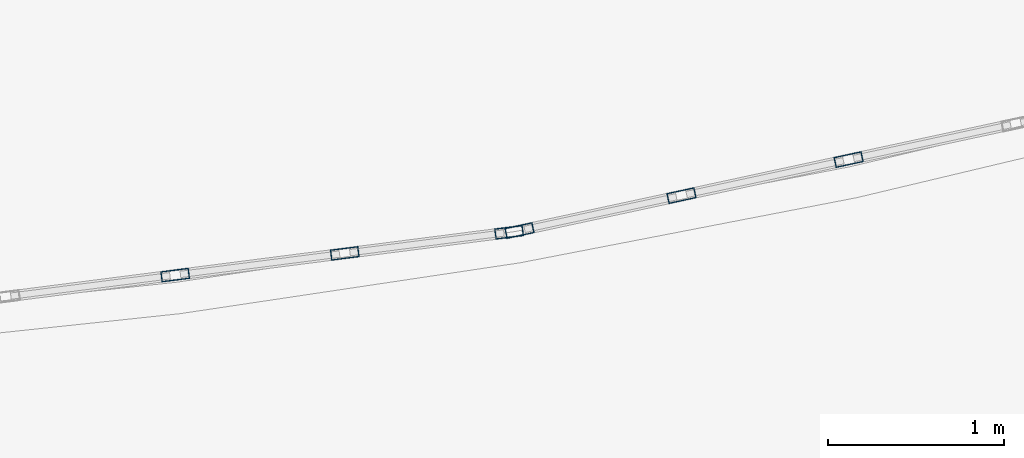
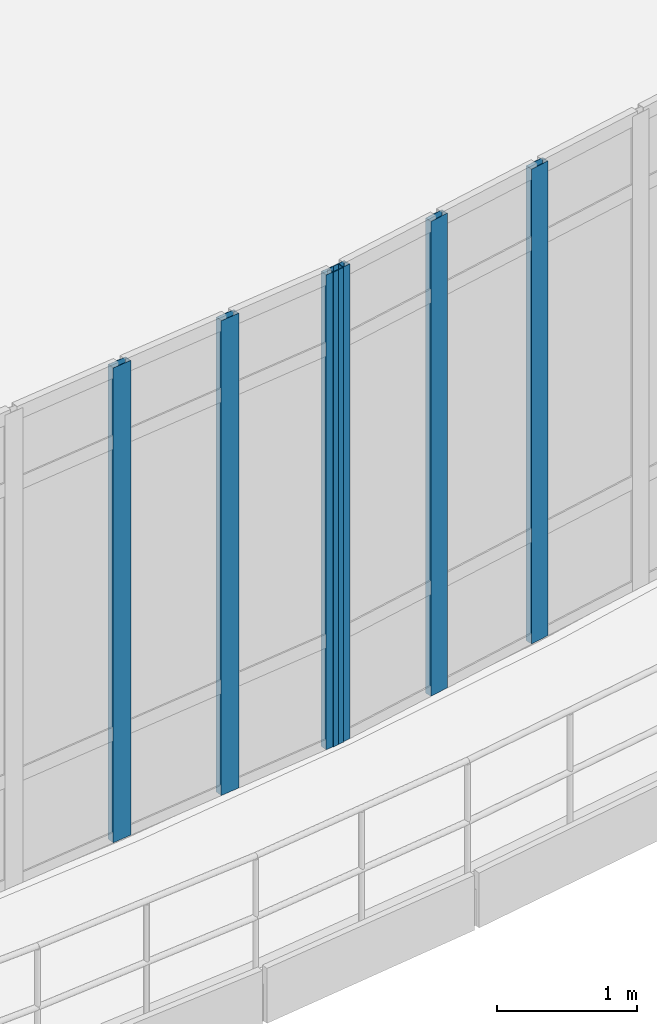
# One storey, part 32 of 116: 6 members, 2 elements without a shape of their own.
"""IFC4 building model written with IfcOpenShell, lengths in metres."""

from ifc_helpers import new_model, si_unit, direction, frame, origin, origin_2d, place, context, subcontext, project, spatial, hollow_rectangle, extrude, material, material_profile, profile_set, type_object, element, aggregate, save


model = new_model("IFC4")

# Units and contexts
model_context = context("Model", 3, precision=1e-05, world=origin(), true_north=direction((0.0, 1.0)))
body_context = subcontext(model_context, "Body", "Model", "MODEL_VIEW")
ifc_project = project(units=[si_unit("LENGTHUNIT", "METRE"), si_unit("AREAUNIT", "SQUARE_METRE"), si_unit("VOLUMEUNIT", "CUBIC_METRE"), si_unit("PLANEANGLEUNIT", "RADIAN"), si_unit("MASSUNIT", "GRAM", prefix="KILO")], contexts=[model_context])

# Site, building, storey
site_placement = place(None, origin())
site = spatial("IfcSite", under=ifc_project, at=site_placement, CompositionType="ELEMENT")
building_placement = place(site_placement, origin())
building = spatial("IfcBuilding", under=site, at=building_placement, Name="Kalluvel Institute of Natural Sciences", CompositionType="ELEMENT")
storey_placement = place(building_placement, frame((0.0, 0.0, 14.39990234375)))
storey = spatial("IfcBuildingStorey", under=building, at=storey_placement, Name="L03", CompositionType="ELEMENT", Elevation=14.39990234375)

# Curtain wall, members
ifc_material = material(Name="Aluminium AW-6063 T6", Category="aluminium")
curtain_wall_type = type_object("IfcCurtainWallType", Name="CW-ATR-ARC", PredefinedType="USERDEFINED", material=ifc_material)
curtain_wall_1_placement = place(storey_placement, origin())
curtain_wall_1 = element("IfcCurtainWall", 1, at=curtain_wall_1_placement, inside=storey, type_object=curtain_wall_type, Name="L03 Gothic lancet curtain wall CWA-L03-X395-Y571", ObjectType="UNITISED LANCET FACADE", PredefinedType="USERDEFINED")
ifc_material_profile = material_profile(ifc_material, hollow_rectangle(XDim=0.06005859375, YDim=0.159912109375, WallThickness=0.00390625, at=origin_2d()), Name="CWM 60x160")
ifc_profile_set = profile_set([ifc_material_profile], Name="Aluminium AW-6063 T6")
member_type = type_object("IfcMemberType", Name="CWM-60x160", PredefinedType="MULLION", material=ifc_profile_set)
member_1_placement = place(storey_placement, frame((41.41845703125, 57.3623046875, 0.0), z_axis=(0.0, 0.0, 1.0), x_axis=(-0.127010045141, 0.991901430805, 0.0)))
member_1 = element("IfcMember", 2, at=member_1_placement, type_object=member_type, Name="CW-05 mullion 3", PredefinedType="MULLION", context=body_context, shape_type="SweptSolid", body=[
    extrude(hollow_rectangle(XDim=0.06005859375, YDim=0.159912109375, WallThickness=0.00390625, at=origin_2d()), origin(), (0.0, 0.0, 1.0), 4.150146484375),
])
member_2_placement = place(storey_placement, frame((42.383544921875, 57.48583984375, 0.0), z_axis=(0.0, 0.0, 1.0), x_axis=(-0.127010045141, 0.991901430805, 0.0)))
member_2 = element("IfcMember", 3, at=member_2_placement, type_object=member_type, Name="CW-05 mullion 4", PredefinedType="MULLION", context=body_context, shape_type="SweptSolid", body=[
    extrude(hollow_rectangle(XDim=0.06005859375, YDim=0.159912109375, WallThickness=0.00390625, at=origin_2d()), origin(), (0.0, 0.0, 1.0), 4.150146484375),
])
member_3_placement = place(storey_placement, frame((43.31884765625, 57.605712890625, 0.0), z_axis=(0.0, 0.0, 1.0), x_axis=(-0.127010045141, 0.991901430805, 0.0)))
member_3 = element("IfcMember", 4, at=member_3_placement, type_object=member_type, Name="CW-05 mullion 5", PredefinedType="MULLION", context=body_context, shape_type="SweptSolid", body=[
    extrude(hollow_rectangle(XDim=0.06005859375, YDim=0.159912109375, WallThickness=0.00390625, at=origin_2d()), origin(), (0.0, 0.0, 1.0), 4.150146484375),
])
aggregate(curtain_wall_1, [member_1, member_2, member_3])

curtain_wall_2_placement = place(storey_placement, origin())
curtain_wall_2 = element("IfcCurtainWall", 5, at=curtain_wall_2_placement, inside=storey, type_object=curtain_wall_type, Name="L03 Gothic lancet curtain wall CWA-L03-X433-Y576", ObjectType="UNITISED LANCET FACADE", PredefinedType="USERDEFINED")
member_4_placement = place(storey_placement, frame((43.3779296875, 57.61572265625, 0.0), z_axis=(0.0, 0.0, 1.0), x_axis=(-0.210671296949, 0.977556957237, 0.0)))
member_4 = element("IfcMember", 6, at=member_4_placement, type_object=member_type, Name="CW-05 mullion 1", PredefinedType="MULLION", context=body_context, shape_type="SweptSolid", body=[
    extrude(hollow_rectangle(XDim=0.06005859375, YDim=0.159912109375, WallThickness=0.00390625, at=origin_2d()), origin(), (0.0, 0.0, 1.0), 4.150146484375),
])
member_5_placement = place(storey_placement, frame((44.2998046875, 57.814453125, 0.0), z_axis=(0.0, 0.0, 1.0), x_axis=(-0.210671296949, 0.977556957237, 0.0)))
member_5 = element("IfcMember", 7, at=member_5_placement, type_object=member_type, Name="CW-05 mullion 2", PredefinedType="MULLION", context=body_context, shape_type="SweptSolid", body=[
    extrude(hollow_rectangle(XDim=0.06005859375, YDim=0.159912109375, WallThickness=0.00390625, at=origin_2d()), origin(), (0.0, 0.0, 1.0), 4.150146484375),
])
member_6_placement = place(storey_placement, frame((45.2509765625, 58.01953125, 0.0), z_axis=(0.0, 0.0, 1.0), x_axis=(-0.210671296949, 0.977556957237, 0.0)))
member_6 = element("IfcMember", 8, at=member_6_placement, type_object=member_type, Name="CW-05 mullion 3", PredefinedType="MULLION", context=body_context, shape_type="SweptSolid", body=[
    extrude(hollow_rectangle(XDim=0.06005859375, YDim=0.159912109375, WallThickness=0.00390625, at=origin_2d()), origin(), (0.0, 0.0, 1.0), 4.150146484375),
])
aggregate(curtain_wall_2, [member_4, member_5, member_6])

save(model, "model.ifc")
